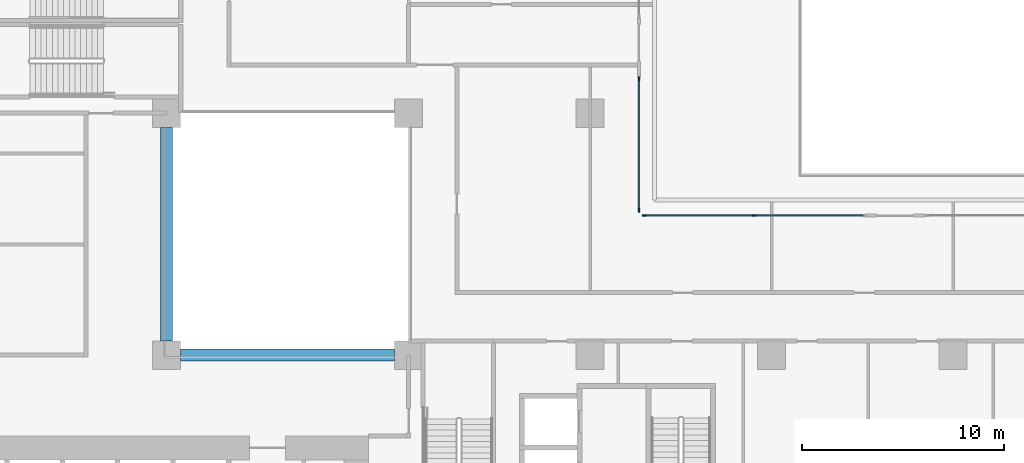
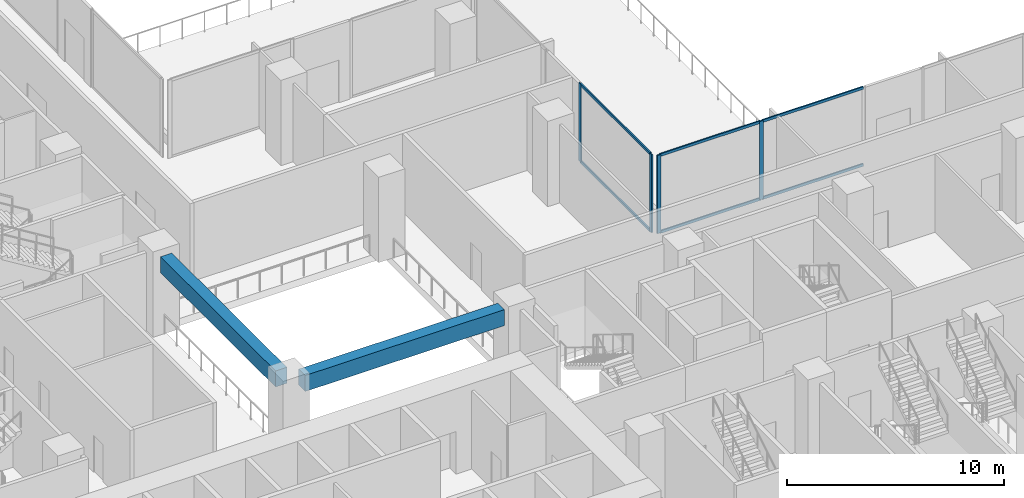
# One storey, part 5 of 25: 10 members, 2 beams, 2 elements without a shape of their own.
"""IFC4 building model written with IfcOpenShell, lengths in metres."""

from ifc_helpers import new_model, si_unit, direction, frame, origin, origin_2d, place, context, subcontext, project, spatial, rectangle, extrude, material, layer, layer_set, material_profile, profile_set, type_object, element, aggregate, save


model = new_model("IFC4")

# Units and contexts
model_context = context("Model", 3, precision=1e-05, world=origin(), true_north=direction((0.0, 1.0)))
body_context = subcontext(model_context, "Body", "Model", "MODEL_VIEW")
ifc_project = project(units=[si_unit("LENGTHUNIT", "METRE"), si_unit("AREAUNIT", "SQUARE_METRE"), si_unit("VOLUMEUNIT", "CUBIC_METRE"), si_unit("PLANEANGLEUNIT", "RADIAN"), si_unit("MASSUNIT", "GRAM", prefix="KILO")], contexts=[model_context])

# Site, building, storey
site_placement = place(None, origin())
site = spatial("IfcSite", under=ifc_project, at=site_placement, CompositionType="ELEMENT")
building_placement = place(site_placement, origin())
building = spatial("IfcBuilding", under=site, at=building_placement, Name="Chenar Terraces", CompositionType="ELEMENT")
storey_placement = place(building_placement, frame((0.0, 0.0, 21.60009765625)))
storey = spatial("IfcBuildingStorey", under=building, at=storey_placement, Name="L04", CompositionType="ELEMENT", Elevation=21.60009765625)

# Beams
ifc_material_1 = material(Name="Concrete C40/50", Category="concrete")
ifc_material_profile_1 = material_profile(ifc_material_1, rectangle(XDim=0.60009765625, YDim=0.89990234375, at=origin_2d()), Name="RC 600 x 900")
ifc_profile_set_1 = profile_set([ifc_material_profile_1], Name="Concrete C40/50")
beam_type = type_object("IfcBeamType", Name="Atrium edge beam 600 x 900 Concrete C40/50", PredefinedType="BEAM", material=ifc_profile_set_1)
for number, where, z_axis, x_axis, name in (
    (1, (24.699951171875, 24.0, 3.949951171875), (1.0, 0.0, 0.0), (0.0, 1.0, 0.0), "Atrium edge beam L05 1"),
    (2, (24.0, 35.300048828125, 3.949951171875), (0.0, -1.0, 0.0), (1.0, 0.0, 0.0), "Atrium edge beam L05 4"),
):
    element("IfcBeam", number, at=place(storey_placement, frame(where, z_axis=z_axis, x_axis=x_axis)), inside=storey, type_object=beam_type, Name=name, PredefinedType="BEAM", context=body_context, shape_type="SweptSolid", body=[
        extrude(rectangle(XDim=0.60009765625, YDim=0.89990234375, at=origin_2d()), origin(), (0.0, 0.0, 1.0), 10.60009765625),
    ])

# Curtain wall, members
ifc_material_2 = material(Name="Aluminium framed glazing", Category="aluminium")
ifc_layer = layer(ifc_material_2, 0.14990234375)
ifc_layer_set = layer_set([ifc_layer], Name="Aluminium framed glazing")
curtain_wall_type = type_object("IfcCurtainWallType", Name="School curtain wall", PredefinedType="NOTDEFINED", material=ifc_layer_set)
placement = place(storey_placement, origin())
curtain_wall_1 = element("IfcCurtainWall", 3, at=placement, inside=storey, type_object=curtain_wall_type, Name="School curtain wall", PredefinedType="NOTDEFINED")
ifc_material_3 = material(Name="Aluminium", Category="aluminium")
ifc_material_profile_2 = material_profile(ifc_material_3, rectangle(XDim=0.070068359375, YDim=0.199951171875, at=origin_2d()), Name="School glazing mullion 70 x 200")
ifc_profile_set_2 = profile_set([ifc_material_profile_2], Name="Aluminium")
member_type_1 = type_object("IfcMemberType", Name="School glazing mullion 70 x 200", PredefinedType="MULLION", material=ifc_profile_set_2)
member_1_placement = place(storey_placement, frame((53.13818359375, 30.925048828125, 0.0), z_axis=(0.0, 0.0, 1.0), x_axis=(0.0, -1.0, 0.0)))
member_1 = element("IfcMember", 4, at=member_1_placement, type_object=member_type_1, Name="CW2-11c1 mullion 2", PredefinedType="MULLION", context=body_context, shape_type="SweptSolid", body=[
    extrude(rectangle(XDim=0.070068359375, YDim=0.199951171875, at=origin_2d()), origin(), (0.0, 0.0, 1.0), 4.39990234375),
])
member_2_placement = place(storey_placement, frame((47.68505859375, 30.925048828125, 0.0), z_axis=(0.0, 0.0, 1.0), x_axis=(0.0, -1.0, 0.0)))
member_2 = element("IfcMember", 5, at=member_2_placement, type_object=member_type_1, Name="CW2-11c1 mullion 3", PredefinedType="MULLION", context=body_context, shape_type="SweptSolid", body=[
    extrude(rectangle(XDim=0.070068359375, YDim=0.199951171875, at=origin_2d()), origin(), (0.0, 0.0, 1.0), 4.39990234375),
])

curtain_wall_2 = element("IfcCurtainWall", 6, at=placement, inside=storey, type_object=curtain_wall_type, Name="School curtain wall", PredefinedType="NOTDEFINED")
member_3_placement = place(storey_placement, frame((47.425048828125, 31.18505859375, 0.0), z_axis=(0.0, 0.0, 1.0), x_axis=(-1.0, 0.0, 0.0)))
member_3 = element("IfcMember", 7, at=member_3_placement, type_object=member_type_1, Name="CW2-12c0 mullion 1", PredefinedType="MULLION", context=body_context, shape_type="SweptSolid", body=[
    extrude(rectangle(XDim=0.070068359375, YDim=0.199951171875, at=origin_2d()), origin(), (0.0, 0.0, 1.0), 4.39990234375),
])
member_4_placement = place(storey_placement, frame((47.425048828125, 37.702392578125, 0.0), z_axis=(0.0, 0.0, 1.0), x_axis=(-1.0, 0.0, 0.0)))
member_4 = element("IfcMember", 8, at=member_4_placement, type_object=member_type_1, Name="CW2-12c0 mullion 2", PredefinedType="MULLION", context=body_context, shape_type="SweptSolid", body=[
    extrude(rectangle(XDim=0.070068359375, YDim=0.199951171875, at=origin_2d()), origin(), (0.0, 0.0, 1.0), 4.39990234375),
])

# Member
ifc_material_4 = material(Name="Aluminium", Category="aluminium")
ifc_material_profile_3 = material_profile(ifc_material_4, rectangle(XDim=0.070068359375, YDim=0.14990234375, at=origin_2d()), Name="School glazing transom 70 x 150")
ifc_profile_set_3 = profile_set([ifc_material_profile_3], Name="Aluminium")
member_type_2 = type_object("IfcMemberType", Name="School glazing transom 70 x 150", PredefinedType="USERDEFINED", material=ifc_profile_set_3)
member_5_placement = place(storey_placement, frame((58.556640625, 30.925048828125, 0.034912109375), z_axis=(-1.0, 0.0, 0.0), x_axis=(0.0, -1.0, 0.0)))
member_5 = element("IfcMember", 9, at=member_5_placement, type_object=member_type_2, Name="CW2-11c1 transom 1.1", ObjectType="TRANSOM", PredefinedType="USERDEFINED", context=body_context, shape_type="SweptSolid", body=[
    extrude(rectangle(XDim=0.070068359375, YDim=0.14990234375, at=origin_2d()), origin(), (0.0, 0.0, 1.0), 5.38330078125),
])

member_6_placement = place(storey_placement, frame((58.556640625, 30.925048828125, 4.364990234375), z_axis=(-1.0, 0.0, 0.0), x_axis=(0.0, -1.0, 0.0)))
member_6 = element("IfcMember", 10, at=member_6_placement, type_object=member_type_2, Name="CW2-11c1 transom 1.2", ObjectType="TRANSOM", PredefinedType="USERDEFINED", context=body_context, shape_type="SweptSolid", body=[
    extrude(rectangle(XDim=0.070068359375, YDim=0.14990234375, at=origin_2d()), origin(), (0.0, 0.0, 1.0), 5.38330078125),
])

member_7_placement = place(storey_placement, frame((53.103271484375, 30.925048828125, 0.034912109375), z_axis=(-1.0, 0.0, 0.0), x_axis=(0.0, -1.0, 0.0)))
member_7 = element("IfcMember", 11, at=member_7_placement, type_object=member_type_2, Name="CW2-11c1 transom 2.1", ObjectType="TRANSOM", PredefinedType="USERDEFINED", context=body_context, shape_type="SweptSolid", body=[
    extrude(rectangle(XDim=0.070068359375, YDim=0.14990234375, at=origin_2d()), origin(), (0.0, 0.0, 1.0), 5.38330078125),
])

member_8_placement = place(storey_placement, frame((53.103271484375, 30.925048828125, 4.364990234375), z_axis=(-1.0, 0.0, 0.0), x_axis=(0.0, -1.0, 0.0)))
member_8 = element("IfcMember", 12, at=member_8_placement, type_object=member_type_2, Name="CW2-11c1 transom 2.2", ObjectType="TRANSOM", PredefinedType="USERDEFINED", context=body_context, shape_type="SweptSolid", body=[
    extrude(rectangle(XDim=0.070068359375, YDim=0.14990234375, at=origin_2d()), origin(), (0.0, 0.0, 1.0), 5.38330078125),
])

aggregate(curtain_wall_1, [member_1, member_2, member_5, member_6, member_7, member_8])

member_9_placement = place(storey_placement, frame((47.425048828125, 31.219970703125, 0.034912109375), z_axis=(0.0, 1.0, 0.0), x_axis=(-1.0, 0.0, 0.0)))
member_9 = element("IfcMember", 13, at=member_9_placement, type_object=member_type_2, Name="CW2-12c0 transom 1.1", ObjectType="TRANSOM", PredefinedType="USERDEFINED", context=body_context, shape_type="SweptSolid", body=[
    extrude(rectangle(XDim=0.070068359375, YDim=0.14990234375, at=origin_2d()), origin(), (0.0, 0.0, 1.0), 6.447509765625),
])

member_10_placement = place(storey_placement, frame((47.425048828125, 31.219970703125, 4.364990234375), z_axis=(0.0, 1.0, 0.0), x_axis=(-1.0, 0.0, 0.0)))
member_10 = element("IfcMember", 14, at=member_10_placement, type_object=member_type_2, Name="CW2-12c0 transom 1.2", ObjectType="TRANSOM", PredefinedType="USERDEFINED", context=body_context, shape_type="SweptSolid", body=[
    extrude(rectangle(XDim=0.070068359375, YDim=0.14990234375, at=origin_2d()), origin(), (0.0, 0.0, 1.0), 6.447509765625),
])

aggregate(curtain_wall_2, [member_3, member_4, member_9, member_10])

save(model, "model.ifc")
